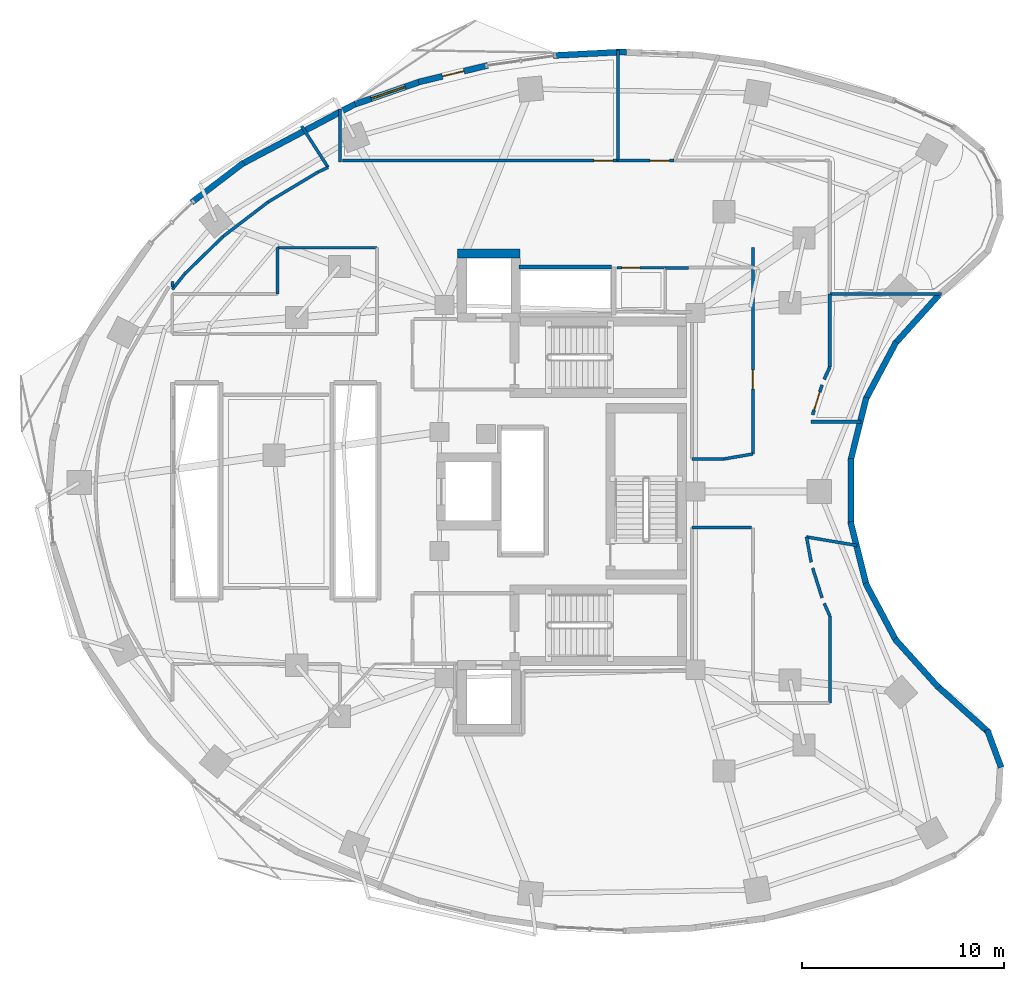
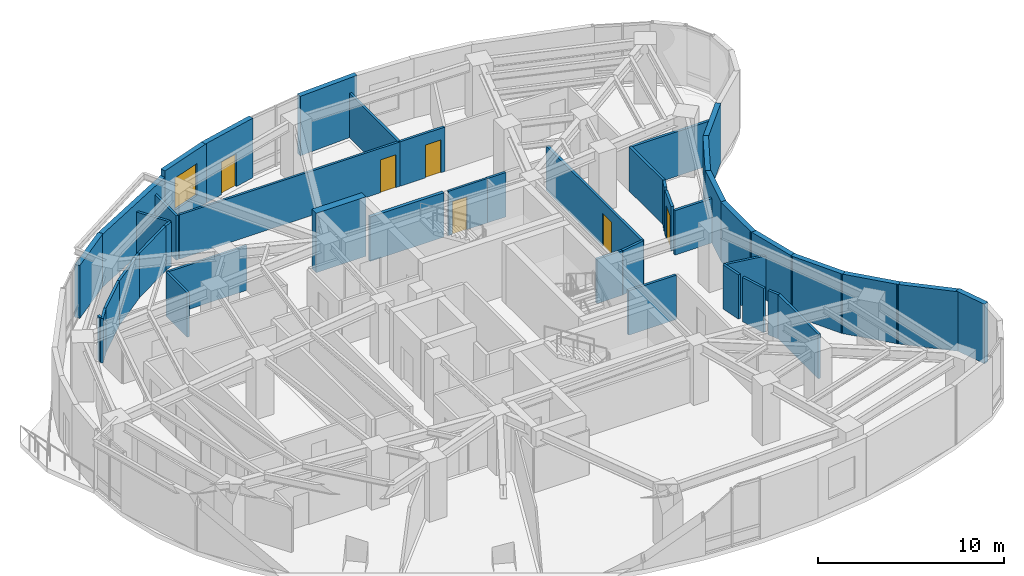
# One storey, part 10 of 14: 45 walls, 6 doors, 1 window, 7 openings.
"""IFC4 building model written with IfcOpenShell, lengths in metres."""

from ifc_helpers import new_model, si_unit, direction, frame, frame_2d, origin, place, context, subcontext, project, spatial, rectangle, extrude, material, layer, layer_set, type_object, element, fill, save


model = new_model("IFC4")

# Units and contexts
model_context = context("Model", 3, precision=1e-05, world=origin(), true_north=direction((0.0, 1.0)))
body_context = subcontext(model_context, "Body", "Model", "MODEL_VIEW")
ifc_project = project(units=[si_unit("LENGTHUNIT", "METRE"), si_unit("AREAUNIT", "SQUARE_METRE"), si_unit("VOLUMEUNIT", "CUBIC_METRE"), si_unit("PLANEANGLEUNIT", "RADIAN"), si_unit("MASSUNIT", "GRAM", prefix="KILO")], contexts=[model_context])

# Site, building, storey
site_placement = place(None, origin())
site = spatial("IfcSite", under=ifc_project, at=site_placement, CompositionType="ELEMENT")
building_placement = place(site_placement, origin())
building = spatial("IfcBuilding", under=site, at=building_placement, Name="Korentha Bioscience Tower", CompositionType="ELEMENT")
storey_placement = place(building_placement, frame((0.0, 0.0, 102.60009765625)))
storey = spatial("IfcBuildingStorey", under=building, at=storey_placement, Name="L23", CompositionType="ELEMENT", Elevation=102.60009765625)

# Wall, opening, door
ifc_material_1 = material(Name="Double-Stud Acoustic Gypsum", Category="gypsum")
ifc_layer_1 = layer(ifc_material_1, 0.14990234375, Name="Double-Stud Acoustic Gypsum")
ifc_layer_set_1 = layer_set([ifc_layer_1], Name="Double-Stud Acoustic Gypsum (IW-L150)")
wall_type_1 = type_object("IfcWallType", Name="Acoustic Laboratory Partition Wall 150", PredefinedType="PARTITIONING", material=ifc_layer_set_1)
wall_1_placement = place(storey_placement, frame((40.389892578125, 39.090087890625, 0.0), z_axis=(0.0, 0.0, 1.0), x_axis=(0.0, -1.0, 0.0)))
wall_1 = element("IfcWall", 1, at=wall_1_placement, inside=storey, type_object=wall_type_1, Name="L23 Researchers' Collaboration Pantry 05 Entrance Wall", PredefinedType="PARTITIONING", context=body_context, shape_type="SweptSolid", body=[
    extrude(rectangle(XDim=10.234619140625, YDim=0.14990234375, at=frame_2d((5.1171875, 0.0))), origin(), (0.0, 0.0, 1.0), 2.909912109375),
])
opening_1_placement = place(wall_1_placement, frame((6.06298828125, 0.0, 0.0)))
opening_1 = element("IfcOpeningElement", 2, at=opening_1_placement, cuts=wall_1, Name="Opening ID-10L", PredefinedType="OPENING", context=body_context, shape_type="SweptSolid", body=[
    extrude(rectangle(XDim=0.949951171875, YDim=2.14990234375, at=frame_2d((0.47509765625, 1.074951171875))), frame((0.0, 0.08984375, 0.0), z_axis=(0.0, -1.0, 0.0), x_axis=(1.0, 0.0, 0.0)), (0.0, 0.0, 1.0), 0.1796875),
])
ifc_material_2 = material(Name="Phenolic Laminate Timber Core", Category="wood")
door_type_1 = type_object("IfcDoorType", Name="Laboratory Single Leaf Door 950x2150 Left", OperationType="SINGLE_SWING_LEFT", PredefinedType="DOOR", material=ifc_material_2)
door_1_placement = place(opening_1_placement, origin())
door_1 = element("IfcDoor", 3, at=door_1_placement, inside=storey, type_object=door_type_1, Name="L23 Researchers' Collaboration Pantry 05 Door", OperationType="SINGLE_SWING_LEFT", OverallHeight=2.14990234375, OverallWidth=0.949951171875, PredefinedType="DOOR", context=body_context, shape_type="SweptSolid", body=[
    extrude(rectangle(XDim=0.949951171875, YDim=2.14990234375, at=frame_2d((0.47509765625, 1.074951171875))), frame((0.0, 0.02490234375, 0.0), z_axis=(0.0, -1.0, 0.0), x_axis=(1.0, 0.0, 0.0)), (0.0, 0.0, 1.0), 0.050048828125),
])
fill(opening_1, door_1)

wall_2_placement = place(storey_placement, frame((36.485107421875, 43.409912109375, 0.0), z_axis=(0.0, 0.0, 1.0), x_axis=(-1.0, 0.0, 0.0)))
wall_2 = element("IfcWall", 4, at=wall_2_placement, inside=storey, type_object=wall_type_1, Name="L23 Wet Genomics Sequencing Laboratory 07 Entrance Wall", PredefinedType="PARTITIONING", context=body_context, shape_type="SweptSolid", body=[
    extrude(rectangle(XDim=2.783203125, YDim=0.14990234375, at=frame_2d((1.3916015625, 0.0))), origin(), (0.0, 0.0, 1.0), 2.909912109375),
])
opening_2_placement = place(wall_2_placement, frame((0.239990234375, 0.0, 0.0)))
opening_2 = element("IfcOpeningElement", 5, at=opening_2_placement, cuts=wall_2, Name="Opening ID-10L", PredefinedType="OPENING", context=body_context, shape_type="SweptSolid", body=[
    extrude(rectangle(XDim=0.949951171875, YDim=2.14990234375, at=frame_2d((0.47509765625, 1.074951171875))), frame((0.0, 0.08984375, 0.0), z_axis=(0.0, -1.0, 0.0), x_axis=(1.0, 0.0, 0.0)), (0.0, 0.0, 1.0), 0.1796875),
])
door_2_placement = place(opening_2_placement, origin())
door_2 = element("IfcDoor", 6, at=door_2_placement, inside=storey, type_object=door_type_1, Name="L23 Wet Genomics Sequencing Laboratory 07 Door", OperationType="SINGLE_SWING_LEFT", OverallHeight=2.14990234375, OverallWidth=0.949951171875, PredefinedType="DOOR", context=body_context, shape_type="SweptSolid", body=[
    extrude(rectangle(XDim=0.949951171875, YDim=2.14990234375, at=frame_2d((0.47509765625, 1.074951171875))), frame((0.0, 0.02490234375, 0.0), z_axis=(0.0, -1.0, 0.0), x_axis=(1.0, 0.0, 0.0)), (0.0, 0.0, 1.0), 0.050048828125),
])
fill(opening_2, door_2)

# Walls
wall_3_placement = place(storey_placement, frame((18.00634765625, 45.12060546875, 0.0), z_axis=(0.0, 0.0, 1.0), x_axis=(0.539162038825, -0.842202051701, 0.0)))
element("IfcWall", 7, at=wall_3_placement, inside=storey, type_object=wall_type_1, Name="L23 Interior Partition 014", PredefinedType="PARTITIONING", context=body_context, shape_type="SweptSolid", body=[
    extrude(rectangle(XDim=2.4296875, YDim=0.14990234375, at=frame_2d((1.21484375, 0.0))), origin(), (0.0, 0.0, 1.0), 2.909912109375),
])
wall_4_placement = place(storey_placement, frame((19.31640625, 43.07421875, 0.0), z_axis=(0.0, 0.0, 1.0), x_axis=(-0.907141981017, -0.420824697799, 0.0)))
element("IfcWall", 8, at=wall_4_placement, inside=storey, type_object=wall_type_1, Name="L23 Interior Partition 015", PredefinedType="PARTITIONING", context=body_context, shape_type="SweptSolid", body=[
    extrude(rectangle(XDim=0.525634765625, YDim=0.14990234375, at=frame_2d((0.2626953125, 0.0))), origin(), (0.0, 0.0, 1.0), 2.909912109375),
])
wall_5_placement = place(storey_placement, frame((18.838623046875, 42.8525390625, 0.0), z_axis=(0.0, 0.0, 1.0), x_axis=(-0.857603806023, -0.514310909757, 0.0)))
element("IfcWall", 9, at=wall_5_placement, inside=storey, type_object=wall_type_1, Name="L23 Interior Partition 016", PredefinedType="PARTITIONING", context=body_context, shape_type="SweptSolid", body=[
    extrude(rectangle(XDim=2.91357421875, YDim=0.14990234375, at=frame_2d((1.456787109375, 0.0))), origin(), (0.0, 0.0, 1.0), 2.909912109375),
])
wall_6_placement = place(storey_placement, frame((16.3388671875, 41.353515625, 0.0), z_axis=(0.0, 0.0, 1.0), x_axis=(-0.794513779695, -0.607246122981, 0.0)))
element("IfcWall", 10, at=wall_6_placement, inside=storey, type_object=wall_type_1, Name="L23 Interior Partition 017", PredefinedType="PARTITIONING", context=body_context, shape_type="SweptSolid", body=[
    extrude(rectangle(XDim=2.799072265625, YDim=0.14990234375, at=frame_2d((1.3994140625, 0.0))), origin(), (0.0, 0.0, 1.0), 2.909912109375),
])
wall_7_placement = place(storey_placement, frame((14.1142578125, 39.65283203125, 0.0), z_axis=(0.0, 0.0, 1.0), x_axis=(-0.716161838398, -0.697934252794, 0.0)))
element("IfcWall", 11, at=wall_7_placement, inside=storey, type_object=wall_type_1, Name="L23 Interior Partition 018", PredefinedType="PARTITIONING", context=body_context, shape_type="SweptSolid", body=[
    extrude(rectangle(XDim=2.6787109375, YDim=0.14990234375, at=frame_2d((1.33935546875, 0.0))), origin(), (0.0, 0.0, 1.0), 2.909912109375),
])
wall_8_placement = place(storey_placement, frame((12.195068359375, 37.781982421875, 0.0), z_axis=(0.0, 0.0, 1.0), x_axis=(-0.621081637991, -0.783745876513, 0.0)))
element("IfcWall", 12, at=wall_8_placement, inside=storey, type_object=wall_type_1, Name="L23 Interior Partition 019", PredefinedType="PARTITIONING", context=body_context, shape_type="SweptSolid", body=[
    extrude(rectangle(XDim=0.97412109375, YDim=0.14990234375, at=frame_2d((0.487060546875, 0.0))), origin(), (0.0, 0.0, 1.0), 2.909912109375),
])
wall_9_placement = place(storey_placement, frame((11.590087890625, 37.14404296875, 0.0), z_axis=(0.0, 0.0, 1.0), x_axis=(0.0, 1.0, 0.0)))
element("IfcWall", 13, at=wall_9_placement, inside=storey, type_object=wall_type_1, Name="L23 Interior Partition 020", PredefinedType="PARTITIONING", context=body_context, shape_type="SweptSolid", body=[
    extrude(rectangle(XDim=0.263916015625, YDim=0.14990234375, at=frame_2d((0.1318359375, 0.0))), origin(), (0.0, 0.0, 1.0), 2.909912109375),
])
wall_10_placement = place(storey_placement, frame((37.360107421875, 25.197998046875, 0.0), z_axis=(0.0, 0.0, 1.0), x_axis=(1.0, 0.0, 0.0)))
element("IfcWall", 14, at=wall_10_placement, inside=storey, type_object=wall_type_1, Name="L23 Interior Partition 040", PredefinedType="PARTITIONING", context=body_context, shape_type="SweptSolid", body=[
    extrude(rectangle(XDim=2.95947265625, YDim=0.14990234375, at=frame_2d((1.479736328125, 0.0))), origin(), (0.0, 0.0, 1.0), 2.909912109375),
])
wall_11_placement = place(storey_placement, frame((44.2099609375, 16.5, 0.0), z_axis=(0.0, 0.0, 1.0), x_axis=(0.0, 1.0, 0.0)))
element("IfcWall", 15, at=wall_11_placement, inside=storey, type_object=wall_type_1, Name="L23 Interior Partition 042", PredefinedType="PARTITIONING", context=body_context, shape_type="SweptSolid", body=[
    extrude(rectangle(XDim=4.324951171875, YDim=0.14990234375, at=frame_2d((2.16259765625, 0.0))), origin(), (0.0, 0.0, 1.0), 2.909912109375),
])
wall_12_placement = place(storey_placement, frame((44.208984375, 20.8291015625, 0.0), z_axis=(0.0, 0.0, 1.0), x_axis=(-0.414377467152, 0.910105111905, 0.0)))
element("IfcWall", 16, at=wall_12_placement, inside=storey, type_object=wall_type_1, Name="L23 Interior Partition 043", PredefinedType="PARTITIONING", context=body_context, shape_type="SweptSolid", body=[
    extrude(rectangle(XDim=0.67236328125, YDim=0.14990234375, at=frame_2d((0.336181640625, 0.0))), origin(), (0.0, 0.0, 1.0), 2.909912109375),
])
wall_13_placement = place(storey_placement, frame((43.823974609375, 21.718017578125, 0.0), z_axis=(0.0, 0.0, 1.0), x_axis=(-0.300641414783, 0.953737248783, 0.0)))
element("IfcWall", 17, at=wall_13_placement, inside=storey, type_object=wall_type_1, Name="L23 Interior Partition 044", PredefinedType="PARTITIONING", context=body_context, shape_type="SweptSolid", body=[
    extrude(rectangle(XDim=1.55029296875, YDim=0.14990234375, at=frame_2d((0.775146484375, 0.0))), origin(), (0.0, 0.0, 1.0), 2.909912109375),
])
wall_14_placement = place(storey_placement, frame((43.285888671875, 23.484619140625, 0.0), z_axis=(0.0, 0.0, 1.0), x_axis=(-0.182068693262, 0.983285813451, 0.0)))
element("IfcWall", 18, at=wall_14_placement, inside=storey, type_object=wall_type_1, Name="L23 Interior Partition 045", PredefinedType="PARTITIONING", context=body_context, shape_type="SweptSolid", body=[
    extrude(rectangle(XDim=1.275146484375, YDim=0.14990234375, at=frame_2d((0.6376953125, 0.0))), origin(), (0.0, 0.0, 1.0), 2.909912109375),
])
wall_15_placement = place(storey_placement, frame((43.0537109375, 24.738525390625, 0.0), z_axis=(0.0, 0.0, 1.0), x_axis=(0.986178112389, -0.16568865575, 0.0)))
element("IfcWall", 19, at=wall_15_placement, inside=storey, type_object=wall_type_1, Name="L23 Interior Partition 046", PredefinedType="PARTITIONING", context=body_context, shape_type="SweptSolid", body=[
    extrude(rectangle(XDim=2.547607421875, YDim=0.14990234375, at=frame_2d((1.27392578125, 0.0))), origin(), (0.0, 0.0, 1.0), 2.909912109375),
])
wall_16_placement = place(storey_placement, frame((38.9619140625, 28.610107421875, 0.0), z_axis=(0.0, 0.0, 1.0), x_axis=(-1.0, 0.0, 0.0)))
element("IfcWall", 20, at=wall_16_placement, inside=storey, type_object=wall_type_1, Name="L23 Interior Partition 052", PredefinedType="PARTITIONING", context=body_context, shape_type="SweptSolid", body=[
    extrude(rectangle(XDim=1.601806640625, YDim=0.14990234375, at=frame_2d((0.80078125, 0.0))), origin(), (0.0, 0.0, 1.0), 2.909912109375),
])
wall_17_placement = place(storey_placement, frame((36.06005859375, 38.090087890625, 0.0), z_axis=(0.0, 0.0, 1.0), x_axis=(1.0, 0.0, 0.0)))
element("IfcWall", 21, at=wall_17_placement, inside=storey, type_object=wall_type_1, Name="L23 Interior Partition 055", PredefinedType="PARTITIONING", context=body_context, shape_type="SweptSolid", body=[
    extrude(rectangle(XDim=1.139892578125, YDim=0.14990234375, at=frame_2d((0.56982421875, 0.0))), origin(), (0.0, 0.0, 1.0), 2.909912109375),
])
wall_18_placement = place(storey_placement, frame((40.389892578125, 28.85546875, 0.0), z_axis=(0.0, 0.0, 1.0), x_axis=(-0.985557240647, -0.169342627261, 0.0)))
element("IfcWall", 22, at=wall_18_placement, inside=storey, type_object=wall_type_1, Name="L23 Interior Partition 058", PredefinedType="PARTITIONING", context=body_context, shape_type="SweptSolid", body=[
    extrude(rectangle(XDim=1.448974609375, YDim=0.14990234375, at=frame_2d((0.724609375, 0.0))), origin(), (0.0, 0.0, 1.0), 2.909912109375),
])
wall_19_placement = place(storey_placement, frame((33.701904296875, 43.409912109375, 0.0), z_axis=(0.0, 0.0, 1.0), x_axis=(0.0, 1.0, 0.0)))
element("IfcWall", 23, at=wall_19_placement, inside=storey, type_object=wall_type_1, Name="L23 Interior Partition 061", PredefinedType="PARTITIONING", context=body_context, shape_type="SweptSolid", body=[
    extrude(rectangle(XDim=5.500244140625, YDim=0.14990234375, at=frame_2d((2.75, 0.0))), origin(), (0.0, 0.0, 1.0), 2.909912109375),
])

# Wall, opening, door
ifc_material_3 = material(Name="Insulated Aluminium Honeycomb Panel", Category="aluminium")
ifc_layer_2 = layer(ifc_material_3, 0.139892578125, Name="Insulated Aluminium Honeycomb Panel")
ifc_layer_set_2 = layer_set([ifc_layer_2], Name="Insulated Aluminium Honeycomb Panel (IW-F60)")
wall_type_2 = type_object("IfcWallType", Name="Cleanroom Flush Metal Panel Partition 140", PredefinedType="PARTITIONING", material=ifc_layer_set_2)
wall_20_placement = place(storey_placement, frame((33.69189453125, 43.409912109375, 0.0), z_axis=(0.0, 0.0, 1.0), x_axis=(-1.0, 0.0, 0.0)))
wall_20 = element("IfcWall", 24, at=wall_20_placement, inside=storey, type_object=wall_type_2, Name="L23 PCR Amplification Cleanroom 08 Entrance Wall", PredefinedType="PARTITIONING", context=body_context, shape_type="SweptSolid", body=[
    extrude(rectangle(XDim=13.6494140625, YDim=0.139892578125, at=frame_2d((6.82470703125, 0.0))), origin(), (0.0, 0.0, 1.0), 2.909912109375),
])
opening_3_placement = place(wall_20_placement, frame((0.239990234375, 0.0, 0.0)))
opening_3 = element("IfcOpeningElement", 25, at=opening_3_placement, cuts=wall_20, Name="Opening ID-10R", PredefinedType="OPENING", context=body_context, shape_type="SweptSolid", body=[
    extrude(rectangle(XDim=0.949951171875, YDim=2.14990234375, at=frame_2d((0.47509765625, 1.074951171875))), frame((0.0, 0.0849609375, 0.0), z_axis=(0.0, -1.0, 0.0), x_axis=(1.0, 0.0, 0.0)), (0.0, 0.0, 1.0), 0.169677734375),
])
door_type_2 = type_object("IfcDoorType", Name="Laboratory Single Leaf Door 950x2150 Right", OperationType="SINGLE_SWING_RIGHT", PredefinedType="DOOR", material=ifc_material_2)
door_3_placement = place(opening_3_placement, origin())
door_3 = element("IfcDoor", 26, at=door_3_placement, inside=storey, type_object=door_type_2, Name="L23 PCR Amplification Cleanroom 08 Door", OperationType="SINGLE_SWING_RIGHT", OverallHeight=2.14990234375, OverallWidth=0.949951171875, PredefinedType="DOOR", context=body_context, shape_type="SweptSolid", body=[
    extrude(rectangle(XDim=0.949951171875, YDim=2.14990234375, at=frame_2d((0.47509765625, 1.074951171875))), frame((0.0, 0.02490234375, 0.0), z_axis=(0.0, -1.0, 0.0), x_axis=(1.0, 0.0, 0.0)), (0.0, 0.0, 1.0), 0.050048828125),
])
fill(opening_3, door_3)

# Walls
wall_21_placement = place(storey_placement, frame((19.902099609375, 43.345703125, 0.0), z_axis=(0.0, 0.0, 1.0), x_axis=(0.0, 1.0, 0.0)))
element("IfcWall", 27, at=wall_21_placement, inside=storey, type_object=wall_type_2, Name="L23 Interior Partition 062", PredefinedType="PARTITIONING", context=body_context, shape_type="SweptSolid", body=[
    extrude(rectangle(XDim=2.62890625, YDim=0.139892578125, at=frame_2d((1.314453125, 0.0))), origin(), (0.0, 0.0, 1.0), 2.909912109375),
])
wall_22_placement = place(storey_placement, frame((16.81005859375, 36.800048828125, 0.0), z_axis=(0.0, 0.0, 1.0), x_axis=(0.0, 1.0, 0.0)))
element("IfcWall", 28, at=wall_22_placement, inside=storey, type_object=wall_type_2, Name="L23 Interior Partition 063", PredefinedType="PARTITIONING", context=body_context, shape_type="SweptSolid", body=[
    extrude(rectangle(XDim=2.2900390625, YDim=0.139892578125, at=frame_2d((1.14501953125, 0.0))), origin(), (0.0, 0.0, 1.0), 2.909912109375),
])
wall_23_placement = place(storey_placement, frame((16.81005859375, 39.090087890625, 0.0), z_axis=(0.0, 0.0, 1.0), x_axis=(1.0, 0.0, 0.0)))
element("IfcWall", 29, at=wall_23_placement, inside=storey, type_object=wall_type_2, Name="L23 Interior Partition 064", PredefinedType="PARTITIONING", context=body_context, shape_type="SweptSolid", body=[
    extrude(rectangle(XDim=4.929931640625, YDim=0.139892578125, at=frame_2d((2.46484375, 0.0))), origin(), (0.0, 0.0, 1.0), 2.909912109375),
])

# Wall, opening, door
ifc_material_4 = material(Name="Gypsum-Clad Steel Stud", Category="steel")
ifc_layer_3 = layer(ifc_material_4, 0.159912109375, Name="Gypsum-Clad Steel Stud")
ifc_layer_set_3 = layer_set([ifc_layer_3], Name="Gypsum-Clad Steel Stud (IW-C160)")
wall_type_3 = type_object("IfcWallType", Name="Fire-Rated Corridor Partition Wall 160", PredefinedType="PARTITIONING", material=ifc_layer_set_3)
wall_24_placement = place(storey_placement, frame((43.35791015625, 30.803466796875, 0.0), z_axis=(0.0, 0.0, 1.0), x_axis=(0.300641414783, 0.953737248783, 0.0)))
wall_24 = element("IfcWall", 30, at=wall_24_placement, inside=storey, type_object=wall_type_3, Name="L23 Biospecimen Archive Store 04 Entrance Wall", PredefinedType="PARTITIONING", context=body_context, shape_type="SweptSolid", body=[
    extrude(rectangle(XDim=1.55029296875, YDim=0.159912109375, at=frame_2d((0.775146484375, 0.0))), origin(), (0.0, 0.0, 1.0), 2.909912109375),
])
opening_4_placement = place(wall_24_placement, frame((0.239990234375, 0.0, 0.0)))
opening_4 = element("IfcOpeningElement", 31, at=opening_4_placement, cuts=wall_24, Name="Opening ID-10R", PredefinedType="OPENING", context=body_context, shape_type="SweptSolid", body=[
    extrude(rectangle(XDim=0.949951171875, YDim=2.14990234375, at=frame_2d((0.47509765625, 1.074951171875))), frame((0.0, 0.0947265625, 0.0), z_axis=(0.0, -1.0, 0.0), x_axis=(1.0, 0.0, 0.0)), (0.0, 0.0, 1.0), 0.189697265625),
])
door_4_placement = place(opening_4_placement, origin())
door_4 = element("IfcDoor", 32, at=door_4_placement, inside=storey, type_object=door_type_2, Name="L23 Biospecimen Archive Store 04 Door", OperationType="SINGLE_SWING_RIGHT", OverallHeight=2.14990234375, OverallWidth=0.949951171875, PredefinedType="DOOR", context=body_context, shape_type="SweptSolid", body=[
    extrude(rectangle(XDim=0.949951171875, YDim=2.14990234375, at=frame_2d((0.47509765625, 1.074951171875))), frame((0.0, 0.02490234375, 0.0), z_axis=(0.0, -1.0, 0.0), x_axis=(1.0, 0.0, 0.0)), (0.0, 0.0, 1.0), 0.050048828125),
])
fill(opening_4, door_4)

# Walls
wall_25_placement = place(storey_placement, frame((45.760986328125, 30.451904296875, 0.0), z_axis=(0.0, 0.0, 1.0), x_axis=(-1.0, 0.0, 0.0)))
element("IfcWall", 33, at=wall_25_placement, inside=storey, type_object=wall_type_3, Name="L23 Interior Partition 048", PredefinedType="PARTITIONING", context=body_context, shape_type="SweptSolid", body=[
    extrude(rectangle(XDim=2.48681640625, YDim=0.159912109375, at=frame_2d((1.243408203125, 0.0))), origin(), (0.0, 0.0, 1.0), 2.909912109375),
])
wall_26_placement = place(storey_placement, frame((43.930419921875, 32.55908203125, 0.0), z_axis=(0.0, 0.0, 1.0), x_axis=(0.414377467152, 0.910105111905, 0.0)))
element("IfcWall", 34, at=wall_26_placement, inside=storey, type_object=wall_type_3, Name="L23 Interior Partition 049", PredefinedType="PARTITIONING", context=body_context, shape_type="SweptSolid", body=[
    extrude(rectangle(XDim=0.67236328125, YDim=0.159912109375, at=frame_2d((0.336181640625, 0.0))), origin(), (0.0, 0.0, 1.0), 2.909912109375),
])
wall_27_placement = place(storey_placement, frame((44.2099609375, 33.175048828125, 0.0), z_axis=(0.0, 0.0, 1.0), x_axis=(0.0, 1.0, 0.0)))
element("IfcWall", 35, at=wall_27_placement, inside=storey, type_object=wall_type_3, Name="L23 Interior Partition 050", PredefinedType="PARTITIONING", context=body_context, shape_type="SweptSolid", body=[
    extrude(rectangle(XDim=3.623046875, YDim=0.159912109375, at=frame_2d((1.8115234375, 0.0))), origin(), (0.0, 0.0, 1.0), 2.909912109375),
])
wall_28_placement = place(storey_placement, frame((44.2099609375, 36.798095703125, 0.0), z_axis=(0.0, 0.0, 1.0), x_axis=(1.0, 0.0, 0.0)))
element("IfcWall", 36, at=wall_28_placement, inside=storey, type_object=wall_type_3, Name="L23 Interior Partition 051", PredefinedType="PARTITIONING", context=body_context, shape_type="SweptSolid", body=[
    extrude(rectangle(XDim=5.529541015625, YDim=0.159912109375, at=frame_2d((2.7646484375, 0.0))), origin(), (0.0, 0.0, 1.0), 2.909912109375),
])

# Wall, opening, door
ifc_material_5 = material(Name="Honed Limestone Precast Concrete C40", Category="masonry")
ifc_layer_4 = layer(ifc_material_5, 0.300048828125, Name="Honed Limestone Precast Concrete C40")
ifc_layer_set_4 = layer_set([ifc_layer_4], Name="Honed Limestone Precast Concrete C40 (EW-ST300)")
wall_type_4 = type_object("IfcWallType", Name="Honed Limestone Cavity Spandrel Wall 300", PredefinedType="STANDARD", material=ifc_layer_set_4)
wall_29_placement = place(storey_placement, frame((27.23828125, 48.1337890625, 0.0), z_axis=(0.0, 0.0, 1.0), x_axis=(-0.972049000874, -0.234778065203, 0.0)))
wall_29 = element("IfcWall", 37, at=wall_29_placement, inside=storey, type_object=wall_type_4, Name="L23 Balcony Threshold Wall 01", PredefinedType="STANDARD", context=body_context, shape_type="SweptSolid", body=[
    extrude(rectangle(XDim=3.5283203125, YDim=0.300048828125, at=frame_2d((1.76416015625, 0.0))), origin(), (0.0, 0.0, 1.0), 3.89990234375),
])
opening_5_placement = place(wall_29_placement, frame((1.21435546875, 0.0, 0.0)))
opening_5 = element("IfcOpeningElement", 38, at=opening_5_placement, cuts=wall_29, Name="Opening BD-11L", PredefinedType="OPENING", context=body_context, shape_type="SweptSolid", body=[
    extrude(rectangle(XDim=1.10009765625, YDim=2.14990234375, at=frame_2d((0.550048828125, 1.074951171875))), frame((0.0, 0.1650390625, 0.0), z_axis=(0.0, -1.0, 0.0), x_axis=(1.0, 0.0, 0.0)), (0.0, 0.0, 1.0), 0.329833984375),
])
ifc_material_6 = material(Name="Thermally Broken Glazed Aluminium", Category="aluminium")
door_type_3 = type_object("IfcDoorType", Name="Balcony Terrace Glazed Door 1100x2150 Left", OperationType="SINGLE_SWING_LEFT", PredefinedType="DOOR", material=ifc_material_6)
door_5_placement = place(opening_5_placement, origin())
door_5 = element("IfcDoor", 39, at=door_5_placement, inside=storey, type_object=door_type_3, Name="L23 Balcony Access Door 01", OperationType="SINGLE_SWING_LEFT", OverallHeight=2.14990234375, OverallWidth=1.10009765625, PredefinedType="DOOR", context=body_context, shape_type="SweptSolid", body=[
    extrude(rectangle(XDim=1.10009765625, YDim=2.14990234375, at=frame_2d((0.550048828125, 1.074951171875))), frame((0.0, 0.02490234375, 0.0), z_axis=(0.0, -1.0, 0.0), x_axis=(1.0, 0.0, 0.0)), (0.0, 0.0, 1.0), 0.050048828125),
])
fill(opening_5, door_5)

# Wall, opening, window
wall_30_placement = place(storey_placement, frame((23.938232421875, 47.34326171875, 0.0), z_axis=(0.0, 0.0, 1.0), x_axis=(-0.944878029854, -0.3274225232, 0.0)))
wall_30 = element("IfcWall", 40, at=wall_30_placement, inside=storey, type_object=wall_type_4, Name="L23 Honed Limestone Spandrel Wall 09", PredefinedType="STANDARD", context=body_context, shape_type="SweptSolid", body=[
    extrude(rectangle(XDim=3.46728515625, YDim=0.300048828125, at=frame_2d((1.733642578125, 0.0))), origin(), (0.0, 0.0, 1.0), 3.89990234375),
])
opening_6_placement = place(wall_30_placement, frame((0.833740234375, 0.0, 0.89990234375)))
opening_6 = element("IfcOpeningElement", 41, at=opening_6_placement, cuts=wall_30, Name="Opening WN-01", PredefinedType="OPENING", context=body_context, shape_type="SweptSolid", body=[
    extrude(rectangle(XDim=1.800048828125, YDim=2.10009765625, at=frame_2d((0.89990234375, 1.050048828125))), frame((0.0, 0.1650390625, 0.0), z_axis=(0.0, -1.0, 0.0), x_axis=(1.0, 0.0, 0.0)), (0.0, 0.0, 1.0), 0.329833984375),
])
ifc_material_7 = material(Name="Thermally Broken Aluminium Triple Glazing", Category="aluminium")
window_type = type_object("IfcWindowType", Name="Triple-Glazed Fixed Bioscience Window 1800x2100", PartitioningType="SINGLE_PANEL", PredefinedType="WINDOW", material=ifc_material_7)
window_placement = place(opening_6_placement, origin())
window = element("IfcWindow", 42, at=window_placement, inside=storey, type_object=window_type, Name="L23 Facade Window 09", OverallHeight=2.10009765625, OverallWidth=1.800048828125, PartitioningType="SINGLE_PANEL", PredefinedType="WINDOW", context=body_context, shape_type="SweptSolid", body=[
    extrude(rectangle(XDim=1.800048828125, YDim=2.10009765625, at=frame_2d((0.89990234375, 1.050048828125))), frame((0.0, 0.030029296875, 0.0), z_axis=(0.0, -1.0, 0.0), x_axis=(1.0, 0.0, 0.0)), (0.0, 0.0, 1.0), 0.06005859375),
])
fill(opening_6, window)

# Walls
wall_31_placement = place(storey_placement, frame((34.114501953125, 48.8115234375, 0.0), z_axis=(0.0, 0.0, 1.0), x_axis=(-0.998674767218, -0.051465613004, 0.0)))
element("IfcWall", 43, at=wall_31_placement, inside=storey, type_object=wall_type_4, Name="L23 Limestone Perimeter Closure Wall 06", PredefinedType="STANDARD", context=body_context, shape_type="SweptSolid", body=[
    extrude(rectangle(XDim=3.6337890625, YDim=0.300048828125, at=frame_2d((1.81689453125, 0.0))), origin(), (0.0, 0.0, 1.0), 3.89990234375),
])
wall_32_placement = place(storey_placement, frame((20.802490234375, 46.29248046875, 0.0), z_axis=(0.0, 0.0, 1.0), x_axis=(-0.883986649445, -0.467512142734, 0.0)))
element("IfcWall", 44, at=wall_32_placement, inside=storey, type_object=wall_type_4, Name="L23 Limestone Perimeter Closure Wall 10", PredefinedType="STANDARD", context=body_context, shape_type="SweptSolid", body=[
    extrude(rectangle(XDim=6.601318359375, YDim=0.300048828125, at=frame_2d((3.30078125, 0.0))), origin(), (0.0, 0.0, 1.0), 3.469970703125),
])
wall_33_placement = place(storey_placement, frame((15.120849609375, 43.3046875, 0.0), z_axis=(0.0, 0.0, 1.0), x_axis=(-0.794500987227, -0.607262860132, 0.0)))
element("IfcWall", 45, at=wall_33_placement, inside=storey, type_object=wall_type_4, Name="L23 Limestone Perimeter Closure Wall 12", PredefinedType="STANDARD", context=body_context, shape_type="SweptSolid", body=[
    extrude(rectangle(XDim=3.242919921875, YDim=0.300048828125, at=frame_2d((1.62158203125, 0.0))), origin(), (0.0, 0.0, 1.0), 3.469970703125),
])
wall_34_placement = place(storey_placement, frame((52.710205078125, 13.3046875, 0.0), z_axis=(0.0, 0.0, 1.0), x_axis=(-0.347370087337, 0.937728117539, 0.0)))
element("IfcWall", 46, at=wall_34_placement, inside=storey, type_object=wall_type_4, Name="L23 Limestone Perimeter Closure Wall 40", PredefinedType="STANDARD", context=body_context, shape_type="SweptSolid", body=[
    extrude(rectangle(XDim=1.997314453125, YDim=0.300048828125, at=frame_2d((0.99853515625, 0.0))), origin(), (0.0, 0.0, 1.0), 3.89990234375),
])
wall_35_placement = place(storey_placement, frame((52.14111328125, 14.993896484375, 0.0), z_axis=(0.0, 0.0, 1.0), x_axis=(-0.74255963233, 0.669779958221, 0.0)))
element("IfcWall", 47, at=wall_35_placement, inside=storey, type_object=wall_type_4, Name="L23 Limestone Perimeter Closure Wall 41", PredefinedType="STANDARD", context=body_context, shape_type="SweptSolid", body=[
    extrude(rectangle(XDim=3.5390625, YDim=0.300048828125, at=frame_2d((1.76953125, 0.0))), origin(), (0.0, 0.0, 1.0), 3.89990234375),
])
wall_36_placement = place(storey_placement, frame((49.61572265625, 17.26171875, 0.0), z_axis=(0.0, 0.0, 1.0), x_axis=(-0.669167727967, 0.743111399353, 0.0)))
element("IfcWall", 48, at=wall_36_placement, inside=storey, type_object=wall_type_4, Name="L23 Limestone Perimeter Closure Wall 43", PredefinedType="STANDARD", context=body_context, shape_type="SweptSolid", body=[
    extrude(rectangle(XDim=3.25537109375, YDim=0.300048828125, at=frame_2d((1.627685546875, 0.0))), origin(), (0.0, 0.0, 1.0), 3.89990234375),
])
wall_37_placement = place(storey_placement, frame((47.5087890625, 19.578857421875, 0.0), z_axis=(0.0, 0.0, 1.0), x_axis=(-0.469451284634, 0.882958374645, 0.0)))
element("IfcWall", 49, at=wall_37_placement, inside=storey, type_object=wall_type_4, Name="L23 Limestone Perimeter Closure Wall 45", PredefinedType="STANDARD", context=body_context, shape_type="SweptSolid", body=[
    extrude(rectangle(XDim=3.255615234375, YDim=0.300048828125, at=frame_2d((1.6279296875, 0.0))), origin(), (0.0, 0.0, 1.0), 3.89990234375),
])
wall_38_placement = place(storey_placement, frame((46.025146484375, 22.3369140625, 0.0), z_axis=(0.0, 0.0, 1.0), x_axis=(-0.241900409149, 0.970301083197, 0.0)))
element("IfcWall", 50, at=wall_38_placement, inside=storey, type_object=wall_type_4, Name="L23 Limestone Perimeter Closure Wall 47", PredefinedType="STANDARD", context=body_context, shape_type="SweptSolid", body=[
    extrude(rectangle(XDim=3.255859375, YDim=0.300048828125, at=frame_2d((1.6279296875, 0.0))), origin(), (0.0, 0.0, 1.0), 3.89990234375),
])
wall_39_placement = place(storey_placement, frame((45.252685546875, 25.372314453125, 0.0), z_axis=(0.0, 0.0, 1.0), x_axis=(0.0, 1.0, 0.0)))
element("IfcWall", 51, at=wall_39_placement, inside=storey, type_object=wall_type_4, Name="L23 Limestone Perimeter Closure Wall 49", PredefinedType="STANDARD", context=body_context, shape_type="SweptSolid", body=[
    extrude(rectangle(XDim=3.25537109375, YDim=0.300048828125, at=frame_2d((1.627685546875, 0.0))), origin(), (0.0, 0.0, 1.0), 3.89990234375),
])
wall_40_placement = place(storey_placement, frame((45.237548828125, 28.50390625, 0.0), z_axis=(0.0, 0.0, 1.0), x_axis=(0.241900409149, 0.970301083197, 0.0)))
element("IfcWall", 52, at=wall_40_placement, inside=storey, type_object=wall_type_4, Name="L23 Limestone Perimeter Closure Wall 51", PredefinedType="STANDARD", context=body_context, shape_type="SweptSolid", body=[
    extrude(rectangle(XDim=3.255859375, YDim=0.300048828125, at=frame_2d((1.6279296875, 0.0))), origin(), (0.0, 0.0, 1.0), 3.89990234375),
])
wall_41_placement = place(storey_placement, frame((45.98046875, 31.546630859375, 0.0), z_axis=(0.0, 0.0, 1.0), x_axis=(0.469451284634, 0.882958374645, 0.0)))
element("IfcWall", 53, at=wall_41_placement, inside=storey, type_object=wall_type_4, Name="L23 Limestone Perimeter Closure Wall 53", PredefinedType="STANDARD", context=body_context, shape_type="SweptSolid", body=[
    extrude(rectangle(XDim=3.255615234375, YDim=0.300048828125, at=frame_2d((1.6279296875, 0.0))), origin(), (0.0, 0.0, 1.0), 3.89990234375),
])
wall_42_placement = place(storey_placement, frame((47.437255859375, 34.319091796875, 0.0), z_axis=(0.0, 0.0, 1.0), x_axis=(0.669167727967, 0.743111399353, 0.0)))
element("IfcWall", 54, at=wall_42_placement, inside=storey, type_object=wall_type_4, Name="L23 Limestone Perimeter Closure Wall 55", PredefinedType="STANDARD", context=body_context, shape_type="SweptSolid", body=[
    extrude(rectangle(XDim=3.25537109375, YDim=0.300048828125, at=frame_2d((1.627685546875, 0.0))), origin(), (0.0, 0.0, 1.0), 3.89990234375),
])
ifc_material_8 = material(Name="Autoclaved Aerated Concrete Block C25", Category="concrete")
ifc_layer_5 = layer(ifc_material_8, 0.199951171875, Name="Autoclaved Aerated Concrete Block C25")
ifc_layer_set_5 = layer_set([ifc_layer_5], Name="Autoclaved Aerated Concrete Block C25 (IW-S200)")
wall_type_5 = type_object("IfcWallType", Name="Lift and Riser Shaft Enclosure Wall 200", PredefinedType="PARTITIONING", material=ifc_layer_set_5)
wall_43_placement = place(storey_placement, frame((28.800048828125, 38.139892578125, 0.0), z_axis=(0.0, 0.0, 1.0), x_axis=(1.0, 0.0, 0.0)))
element("IfcWall", 55, at=wall_43_placement, inside=storey, type_object=wall_type_5, Name="L23 Lift Bank OBS Shaft Wall +Y", PredefinedType="PARTITIONING", context=body_context, shape_type="SweptSolid", body=[
    extrude(rectangle(XDim=4.570068359375, YDim=0.199951171875, at=frame_2d((2.28515625, 0.0))), origin(), (0.0, 0.0, 1.0), 2.909912109375),
])
ifc_material_9 = material(Name="Concrete C80", Category="concrete")
ifc_layer_6 = layer(ifc_material_9, 0.449951171875, Name="Concrete C80")
ifc_layer_set_6 = layer_set([ifc_layer_6], Name="Concrete C80 (CW-C80)")
wall_type_6 = type_object("IfcWallType", Name="Lower Core Shear Wall 450", PredefinedType="SHEAR", material=ifc_layer_set_6)
wall_44_placement = place(storey_placement, frame((25.75, 38.800048828125, 0.0), z_axis=(0.0, 0.0, 1.0), x_axis=(1.0, 0.0, 0.0)))
element("IfcWall", 56, at=wall_44_placement, inside=storey, type_object=wall_type_6, Name="L23 Core Shear Wall FFL2-N", PredefinedType="SHEAR", context=body_context, shape_type="SweptSolid", body=[
    extrude(rectangle(XDim=3.10009765625, YDim=0.449951171875, at=frame_2d((1.550048828125, 0.0))), origin(), (0.0, 0.0, 1.0), 3.89990234375),
])

# Wall, opening, door
ifc_material_10 = material(Name="Cement-Board Steel Stud", Category="steel")
ifc_layer_7 = layer(ifc_material_10, 0.1298828125, Name="Cement-Board Steel Stud")
ifc_layer_set_7 = layer_set([ifc_layer_7], Name="Cement-Board Steel Stud (IW-W130)")
wall_type_7 = type_object("IfcWallType", Name="Wet-Area Moisture-Resistant Partition 130", PredefinedType="PARTITIONING", material=ifc_layer_set_7)
wall_45_placement = place(storey_placement, frame((33.64990234375, 38.090087890625, 0.0), z_axis=(0.0, 0.0, 1.0), x_axis=(1.0, 0.0, 0.0)))
wall_45 = element("IfcWall", 57, at=wall_45_placement, inside=storey, type_object=wall_type_7, Name="L23 Accessible Staff WC Entrance Wall", PredefinedType="PARTITIONING", context=body_context, shape_type="SweptSolid", body=[
    extrude(rectangle(XDim=2.400146484375, YDim=0.1298828125, at=frame_2d((1.2001953125, 0.0))), origin(), (0.0, 0.0, 1.0), 2.909912109375),
])
opening_7_placement = place(wall_45_placement, frame((0.239990234375, 0.0, 0.0)))
opening_7 = element("IfcOpeningElement", 58, at=opening_7_placement, cuts=wall_45, Name="Opening ID-09R", PredefinedType="OPENING", context=body_context, shape_type="SweptSolid", body=[
    extrude(rectangle(XDim=0.89990234375, YDim=2.14990234375, at=frame_2d((0.449951171875, 1.074951171875))), frame((0.0, 0.079833984375, 0.0), z_axis=(0.0, -1.0, 0.0), x_axis=(1.0, 0.0, 0.0)), (0.0, 0.0, 1.0), 0.15966796875),
])
ifc_material_11 = material(Name="Moisture-Resistant HPL Leaf", Category="wood")
door_type_4 = type_object("IfcDoorType", Name="Restroom & Accessible WC Door 900x2150 Right", OperationType="SINGLE_SWING_RIGHT", PredefinedType="DOOR", material=ifc_material_11)
door_6_placement = place(opening_7_placement, origin())
door_6 = element("IfcDoor", 59, at=door_6_placement, inside=storey, type_object=door_type_4, Name="L23 Accessible Staff WC Door", OperationType="SINGLE_SWING_RIGHT", OverallHeight=2.14990234375, OverallWidth=0.89990234375, PredefinedType="DOOR", context=body_context, shape_type="SweptSolid", body=[
    extrude(rectangle(XDim=0.89990234375, YDim=2.14990234375, at=frame_2d((0.449951171875, 1.074951171875))), frame((0.0, 0.02490234375, 0.0), z_axis=(0.0, -1.0, 0.0), x_axis=(1.0, 0.0, 0.0)), (0.0, 0.0, 1.0), 0.050048828125),
])
fill(opening_7, door_6)

save(model, "model.ifc")
